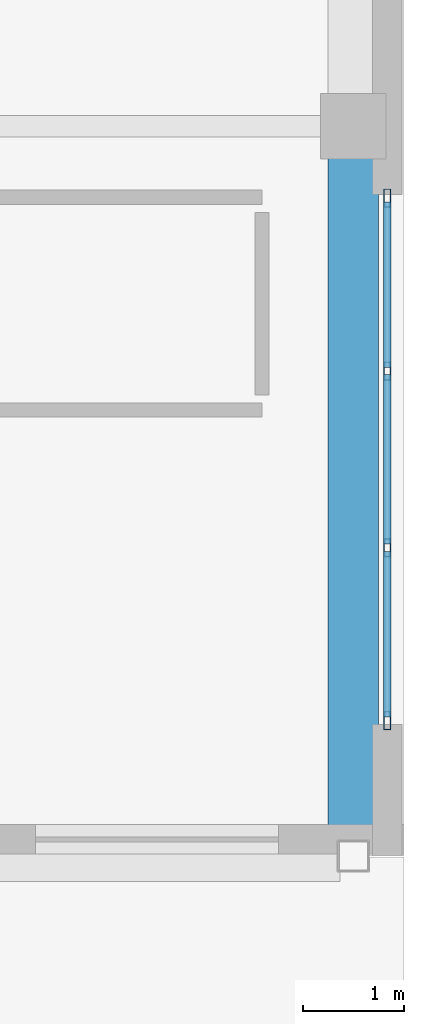
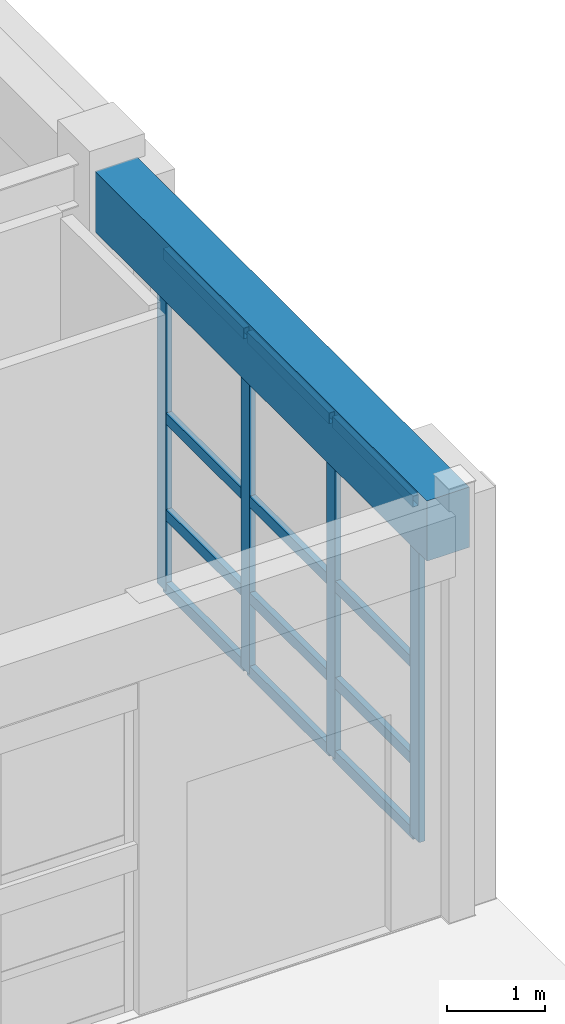
# One storey, part 101 of 148: 16 members, 1 beam, 1 element without a shape of its own.
"""IFC4 building model written with IfcOpenShell, lengths in metres."""

from ifc_helpers import new_model, si_unit, direction, frame, origin, origin_2d, place, context, subcontext, project, spatial, rectangle, hollow_rectangle, extrude, material, layer, layer_set, material_profile, profile_set, type_object, element, aggregate, save


model = new_model("IFC4")

# Units and contexts
model_context = context("Model", 3, precision=1e-05, world=origin(), true_north=direction((0.0, 1.0)))
body_context = subcontext(model_context, "Body", "Model", "MODEL_VIEW")
ifc_project = project(units=[si_unit("LENGTHUNIT", "METRE"), si_unit("AREAUNIT", "SQUARE_METRE"), si_unit("VOLUMEUNIT", "CUBIC_METRE"), si_unit("PLANEANGLEUNIT", "RADIAN"), si_unit("MASSUNIT", "GRAM", prefix="KILO")], contexts=[model_context])

# Site, building, storey
site_placement = place(None, origin())
site = spatial("IfcSite", under=ifc_project, at=site_placement, CompositionType="ELEMENT")
building_placement = place(site_placement, origin())
building = spatial("IfcBuilding", under=site, at=building_placement, Name="Quendrovan Civic Courthouse", CompositionType="ELEMENT")
storey_placement = place(building_placement, origin())
storey = spatial("IfcBuildingStorey", under=building, at=storey_placement, Name="L01", CompositionType="ELEMENT", Elevation=0.0)

# Beam
ifc_material_1 = material(Name="Concrete C40/50", Category="concrete")
ifc_material_profile_1 = material_profile(ifc_material_1, rectangle(XDim=0.5, YDim=0.75, at=origin_2d()), Name="RC-BM-500x750")
ifc_profile_set_1 = profile_set([ifc_material_profile_1], Name="Concrete C40/50")
beam_type = type_object("IfcBeamType", Name="BM-RC750", PredefinedType="SPANDREL", material=ifc_profile_set_1)
beam_placement = place(storey_placement, frame((160.300048828125, 87.72998046875, 4.7451171875), z_axis=(0.0, 1.0, 0.0), x_axis=(-1.0, 0.0, 0.0)))
element("IfcBeam", 1, at=beam_placement, inside=storey, type_object=beam_type, Name="L01 Girder Y0476", PredefinedType="SPANDREL", context=body_context, shape_type="SweptSolid", body=[
    extrude(rectangle(XDim=0.5, YDim=0.75, at=origin_2d()), origin(), (0.0, 0.0, 1.0), 6.76513671875),
])

# Curtain wall, members
ifc_material_2 = material(Name="Bronze anodised aluminium and low-E glass", Category="aluminium")
ifc_layer = layer(ifc_material_2, 0.179931640625, Name="Bronze anodised aluminium and low-E glass")
ifc_layer_set = layer_set([ifc_layer], Name="Bronze anodised aluminium and low-E glass")
curtain_wall_type = type_object("IfcCurtainWallType", Name="CW-U52x42", PredefinedType="USERDEFINED", material=ifc_layer_set)
curtain_wall_placement = place(storey_placement, origin())
curtain_wall = element("IfcCurtainWall", 2, at=curtain_wall_placement, inside=storey, type_object=curtain_wall_type, Name="L01 Unitised Hurricane Curtain Wall CW-042", ObjectType="UNITISED CURTAIN WALL", PredefinedType="USERDEFINED")
ifc_material_3 = material(Name="Bronze anodised aluminium", Category="aluminium")
ifc_material_profile_2 = material_profile(ifc_material_3, hollow_rectangle(XDim=0.070068359375, YDim=0.179931640625, WallThickness=0.00390625, at=origin_2d()), Name="CW-MULL-70x180")
ifc_profile_set_2 = profile_set([ifc_material_profile_2], Name="Bronze anodised aluminium")
member_type_1 = type_object("IfcMemberType", Name="CW-MULL-A", PredefinedType="MULLION", material=ifc_profile_set_2)
member_1_placement = place(storey_placement, frame((160.635009765625, 94.090087890625, 0.0), z_axis=(0.0, 0.0, 1.0), x_axis=(1.0, 0.0, 0.0)))
member_1 = element("IfcMember", 3, at=member_1_placement, type_object=member_type_1, Name="CW-042 mullion 1", PredefinedType="MULLION", context=body_context, shape_type="SweptSolid", body=[
    extrude(hollow_rectangle(XDim=0.070068359375, YDim=0.179931640625, WallThickness=0.00390625, at=origin_2d()), origin(), (0.0, 0.0, 1.0), 4.199951171875),
])
member_2_placement = place(storey_placement, frame((160.635009765625, 92.38330078125, 0.0), z_axis=(0.0, 0.0, 1.0), x_axis=(1.0, 0.0, 0.0)))
member_2 = element("IfcMember", 4, at=member_2_placement, type_object=member_type_1, Name="CW-042 mullion 2", PredefinedType="MULLION", context=body_context, shape_type="SweptSolid", body=[
    extrude(hollow_rectangle(XDim=0.070068359375, YDim=0.179931640625, WallThickness=0.00390625, at=origin_2d()), origin(), (0.0, 0.0, 1.0), 4.199951171875),
])
member_3_placement = place(storey_placement, frame((160.635009765625, 90.6416015625, 0.0), z_axis=(0.0, 0.0, 1.0), x_axis=(1.0, 0.0, 0.0)))
member_3 = element("IfcMember", 5, at=member_3_placement, type_object=member_type_1, Name="CW-042 mullion 3", PredefinedType="MULLION", context=body_context, shape_type="SweptSolid", body=[
    extrude(hollow_rectangle(XDim=0.070068359375, YDim=0.179931640625, WallThickness=0.00390625, at=origin_2d()), origin(), (0.0, 0.0, 1.0), 4.199951171875),
])
member_4_placement = place(storey_placement, frame((160.635009765625, 88.93505859375, 0.0), z_axis=(0.0, 0.0, 1.0), x_axis=(1.0, 0.0, 0.0)))
member_4 = element("IfcMember", 6, at=member_4_placement, type_object=member_type_1, Name="CW-042 mullion 4", PredefinedType="MULLION", context=body_context, shape_type="SweptSolid", body=[
    extrude(hollow_rectangle(XDim=0.070068359375, YDim=0.179931640625, WallThickness=0.00390625, at=origin_2d()), origin(), (0.0, 0.0, 1.0), 4.199951171875),
])
ifc_material_profile_3 = material_profile(ifc_material_3, hollow_rectangle(XDim=0.070068359375, YDim=0.139892578125, WallThickness=0.00390625, at=origin_2d()), Name="CW-TRAN-70x140")
ifc_profile_set_3 = profile_set([ifc_material_profile_3], Name="Bronze anodised aluminium")
member_type_2 = type_object("IfcMemberType", Name="CW-TRAN-A", PredefinedType="USERDEFINED", material=ifc_profile_set_3)
member_5_placement = place(storey_placement, frame((160.635009765625, 94.054931640625, 0.034912109375), z_axis=(0.0, -1.0, 0.0), x_axis=(1.0, 0.0, 0.0)))
member_5 = element("IfcMember", 7, at=member_5_placement, type_object=member_type_2, Name="CW-042 transom 1.1", ObjectType="TRANSOM", PredefinedType="USERDEFINED", context=body_context, shape_type="SweptSolid", body=[
    extrude(hollow_rectangle(XDim=0.070068359375, YDim=0.139892578125, WallThickness=0.00390625, at=origin_2d()), origin(), (0.0, 0.0, 1.0), 1.63671875),
])
member_6_placement = place(storey_placement, frame((160.635009765625, 94.054931640625, 0.949951171875), z_axis=(0.0, -1.0, 0.0), x_axis=(1.0, 0.0, 0.0)))
member_6 = element("IfcMember", 8, at=member_6_placement, type_object=member_type_2, Name="CW-042 transom 1.2", ObjectType="TRANSOM", PredefinedType="USERDEFINED", context=body_context, shape_type="SweptSolid", body=[
    extrude(hollow_rectangle(XDim=0.070068359375, YDim=0.139892578125, WallThickness=0.00390625, at=origin_2d()), origin(), (0.0, 0.0, 1.0), 1.63671875),
])
member_7_placement = place(storey_placement, frame((160.635009765625, 94.054931640625, 2.14990234375), z_axis=(0.0, -1.0, 0.0), x_axis=(1.0, 0.0, 0.0)))
member_7 = element("IfcMember", 9, at=member_7_placement, type_object=member_type_2, Name="CW-042 transom 1.3", ObjectType="TRANSOM", PredefinedType="USERDEFINED", context=body_context, shape_type="SweptSolid", body=[
    extrude(hollow_rectangle(XDim=0.070068359375, YDim=0.139892578125, WallThickness=0.00390625, at=origin_2d()), origin(), (0.0, 0.0, 1.0), 1.63671875),
])
member_8_placement = place(storey_placement, frame((160.635009765625, 94.054931640625, 4.1650390625), z_axis=(0.0, -1.0, 0.0), x_axis=(1.0, 0.0, 0.0)))
member_8 = element("IfcMember", 10, at=member_8_placement, type_object=member_type_2, Name="CW-042 transom 1.4", ObjectType="TRANSOM", PredefinedType="USERDEFINED", context=body_context, shape_type="SweptSolid", body=[
    extrude(hollow_rectangle(XDim=0.070068359375, YDim=0.139892578125, WallThickness=0.00390625, at=origin_2d()), origin(), (0.0, 0.0, 1.0), 1.63671875),
])
member_9_placement = place(storey_placement, frame((160.635009765625, 92.348388671875, 0.034912109375), z_axis=(0.0, -1.0, 0.0), x_axis=(1.0, 0.0, 0.0)))
member_9 = element("IfcMember", 11, at=member_9_placement, type_object=member_type_2, Name="CW-042 transom 2.1", ObjectType="TRANSOM", PredefinedType="USERDEFINED", context=body_context, shape_type="SweptSolid", body=[
    extrude(hollow_rectangle(XDim=0.070068359375, YDim=0.139892578125, WallThickness=0.00390625, at=origin_2d()), origin(), (0.0, 0.0, 1.0), 1.671630859375),
])
member_10_placement = place(storey_placement, frame((160.635009765625, 92.348388671875, 0.949951171875), z_axis=(0.0, -1.0, 0.0), x_axis=(1.0, 0.0, 0.0)))
member_10 = element("IfcMember", 12, at=member_10_placement, type_object=member_type_2, Name="CW-042 transom 2.2", ObjectType="TRANSOM", PredefinedType="USERDEFINED", context=body_context, shape_type="SweptSolid", body=[
    extrude(hollow_rectangle(XDim=0.070068359375, YDim=0.139892578125, WallThickness=0.00390625, at=origin_2d()), origin(), (0.0, 0.0, 1.0), 1.671630859375),
])
member_11_placement = place(storey_placement, frame((160.635009765625, 92.348388671875, 2.14990234375), z_axis=(0.0, -1.0, 0.0), x_axis=(1.0, 0.0, 0.0)))
member_11 = element("IfcMember", 13, at=member_11_placement, type_object=member_type_2, Name="CW-042 transom 2.3", ObjectType="TRANSOM", PredefinedType="USERDEFINED", context=body_context, shape_type="SweptSolid", body=[
    extrude(hollow_rectangle(XDim=0.070068359375, YDim=0.139892578125, WallThickness=0.00390625, at=origin_2d()), origin(), (0.0, 0.0, 1.0), 1.671630859375),
])
member_12_placement = place(storey_placement, frame((160.635009765625, 92.348388671875, 4.1650390625), z_axis=(0.0, -1.0, 0.0), x_axis=(1.0, 0.0, 0.0)))
member_12 = element("IfcMember", 14, at=member_12_placement, type_object=member_type_2, Name="CW-042 transom 2.4", ObjectType="TRANSOM", PredefinedType="USERDEFINED", context=body_context, shape_type="SweptSolid", body=[
    extrude(hollow_rectangle(XDim=0.070068359375, YDim=0.139892578125, WallThickness=0.00390625, at=origin_2d()), origin(), (0.0, 0.0, 1.0), 1.671630859375),
])
member_13_placement = place(storey_placement, frame((160.635009765625, 90.606689453125, 0.034912109375), z_axis=(0.0, -1.0, 0.0), x_axis=(1.0, 0.0, 0.0)))
member_13 = element("IfcMember", 15, at=member_13_placement, type_object=member_type_2, Name="CW-042 transom 3.1", ObjectType="TRANSOM", PredefinedType="USERDEFINED", context=body_context, shape_type="SweptSolid", body=[
    extrude(hollow_rectangle(XDim=0.070068359375, YDim=0.139892578125, WallThickness=0.00390625, at=origin_2d()), origin(), (0.0, 0.0, 1.0), 1.63671875),
])
member_14_placement = place(storey_placement, frame((160.635009765625, 90.606689453125, 0.949951171875), z_axis=(0.0, -1.0, 0.0), x_axis=(1.0, 0.0, 0.0)))
member_14 = element("IfcMember", 16, at=member_14_placement, type_object=member_type_2, Name="CW-042 transom 3.2", ObjectType="TRANSOM", PredefinedType="USERDEFINED", context=body_context, shape_type="SweptSolid", body=[
    extrude(hollow_rectangle(XDim=0.070068359375, YDim=0.139892578125, WallThickness=0.00390625, at=origin_2d()), origin(), (0.0, 0.0, 1.0), 1.63671875),
])
member_15_placement = place(storey_placement, frame((160.635009765625, 90.606689453125, 2.14990234375), z_axis=(0.0, -1.0, 0.0), x_axis=(1.0, 0.0, 0.0)))
member_15 = element("IfcMember", 17, at=member_15_placement, type_object=member_type_2, Name="CW-042 transom 3.3", ObjectType="TRANSOM", PredefinedType="USERDEFINED", context=body_context, shape_type="SweptSolid", body=[
    extrude(hollow_rectangle(XDim=0.070068359375, YDim=0.139892578125, WallThickness=0.00390625, at=origin_2d()), origin(), (0.0, 0.0, 1.0), 1.63671875),
])
member_16_placement = place(storey_placement, frame((160.635009765625, 90.606689453125, 4.1650390625), z_axis=(0.0, -1.0, 0.0), x_axis=(1.0, 0.0, 0.0)))
member_16 = element("IfcMember", 18, at=member_16_placement, type_object=member_type_2, Name="CW-042 transom 3.4", ObjectType="TRANSOM", PredefinedType="USERDEFINED", context=body_context, shape_type="SweptSolid", body=[
    extrude(hollow_rectangle(XDim=0.070068359375, YDim=0.139892578125, WallThickness=0.00390625, at=origin_2d()), origin(), (0.0, 0.0, 1.0), 1.63671875),
])
aggregate(curtain_wall, [member_1, member_2, member_3, member_4, member_5, member_6, member_7, member_8, member_9, member_10, member_11, member_12, member_13, member_14, member_15, member_16])

save(model, "model.ifc")
